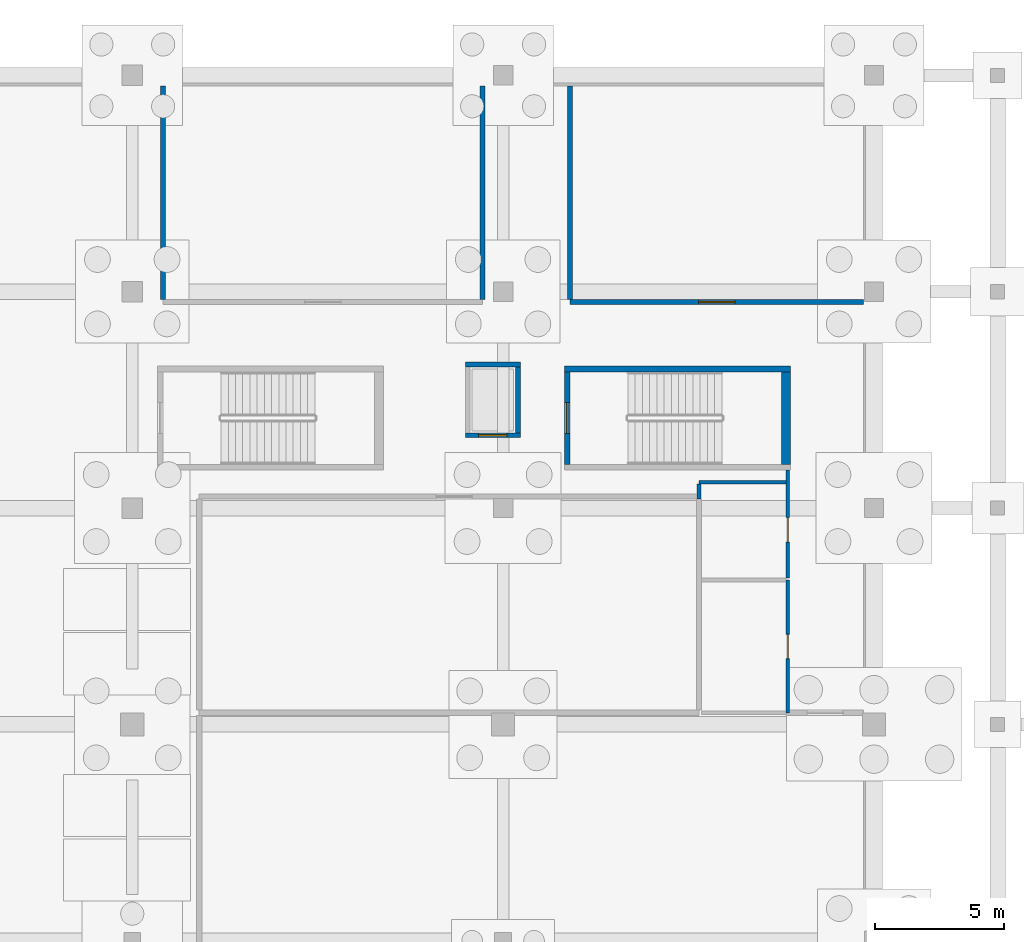
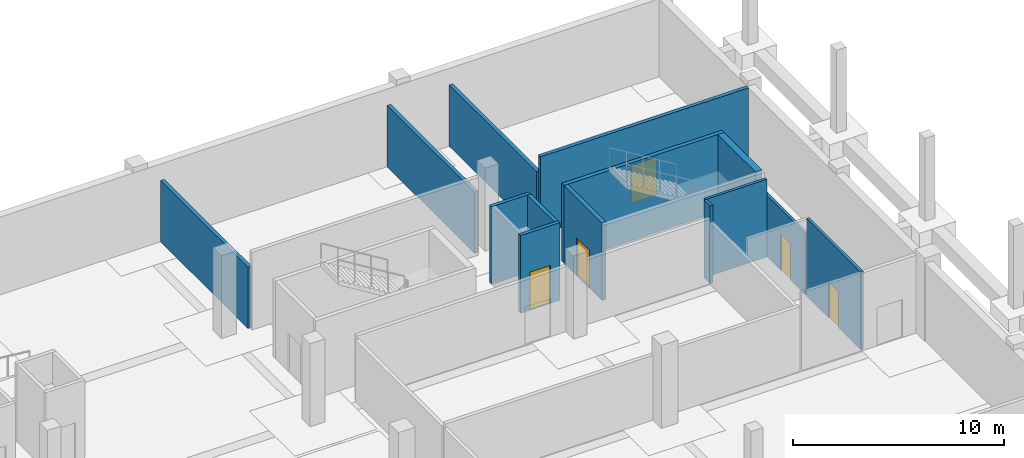
# One storey, part 18 of 26: 14 walls, 5 doors, 5 openings.
"""IFC4 building model written with IfcOpenShell, lengths in metres."""

from ifc_helpers import new_model, si_unit, direction, frame, frame_2d, origin, place, context, subcontext, project, spatial, rectangle, extrude, material, layer, layer_set, type_object, element, fill, save


model = new_model("IFC4")

# Units and contexts
model_context = context("Model", 3, precision=1e-05, world=origin(), true_north=direction((0.0, 1.0)))
body_context = subcontext(model_context, "Body", "Model", "MODEL_VIEW")
ifc_project = project(units=[si_unit("LENGTHUNIT", "METRE"), si_unit("AREAUNIT", "SQUARE_METRE"), si_unit("VOLUMEUNIT", "CUBIC_METRE"), si_unit("PLANEANGLEUNIT", "RADIAN"), si_unit("MASSUNIT", "GRAM", prefix="KILO"), si_unit("THERMODYNAMICTEMPERATUREUNIT", "KELVIN")], contexts=[model_context])

# Site, building, storey
site_placement = place(None, origin())
site = spatial("IfcSite", under=ifc_project, at=site_placement, CompositionType="ELEMENT")
building_placement = place(site_placement, origin())
building = spatial("IfcBuilding", under=site, at=building_placement, Name="Nduvali Passage Aquatics Centre", CompositionType="ELEMENT")
storey_placement = place(building_placement, frame((0.0, 0.0, -4.800048828125)))
storey = spatial("IfcBuildingStorey", under=building, at=storey_placement, Name="B01", CompositionType="ELEMENT", Elevation=-4.800048828125)

# Walls
ifc_material_1 = material(Name="Coral-stone masonry blockwork", Category="masonry")
ifc_layer_1 = layer(ifc_material_1, 0.199951171875, Name="Coral-stone masonry blockwork")
ifc_layer_set_1 = layer_set([ifc_layer_1], Name="Coral-stone masonry blockwork")
wall_type_1 = type_object("IfcWallType", Name="INT-WAL-COMP200", PredefinedType="PARTITIONING", material=ifc_layer_set_1)
for number, where, z_axis, x_axis, name in (
    (1, (98.39990234375, 108.89990234375, 0.0), (0.0, 0.0, 1.0), (0.0, 1.0, 0.0), "B01 Bunded Pool Chemical Storage and Dosing Room Partition 0002"),
    (2, (110.800048828125, 108.89990234375, 0.0), (0.0, 0.0, 1.0), (0.0, 1.0, 0.0), "B01 Bunded Pool Chemical Storage and Dosing Room Partition 0003"),
):
    element("IfcWall", number, at=place(storey_placement, frame(where, z_axis=z_axis, x_axis=x_axis)), inside=storey, type_object=wall_type_1, Name=name, PredefinedType="PARTITIONING", context=body_context, shape_type="SweptSolid", body=[
        extrude(rectangle(XDim=8.2900390625, YDim=0.199951171875, at=frame_2d((4.14501953125, 0.0))), origin(), (0.0, 0.0, 1.0), 3.550048828125),
    ])

# Wall, opening, door
wall_1_placement = place(storey_placement, frame((114.199951171875, 108.800048828125, 0.0), z_axis=(0.0, 0.0, 1.0), x_axis=(1.0, 0.0, 0.0)))
wall_1 = element("IfcWall", 3, at=wall_1_placement, inside=storey, type_object=wall_type_1, Name="B01 Primary Electrical Substation and Switchroom Partition 0004", PredefinedType="PARTITIONING", context=body_context, shape_type="SweptSolid", body=[
    extrude(rectangle(XDim=11.39013671875, YDim=0.199951171875, at=frame_2d((5.695068359375, 0.0))), origin(), (0.0, 0.0, 1.0), 4.5),
])
opening_1_placement = place(wall_1_placement, frame((4.9951171875, 0.0, 0.0)))
opening_1 = element("IfcOpeningElement", 4, at=opening_1_placement, cuts=wall_1, Name="Opening FD-P1", PredefinedType="OPENING", context=body_context, shape_type="SweptSolid", body=[
    extrude(rectangle(XDim=1.39990234375, YDim=2.199951171875, at=frame_2d((0.699951171875, 1.10009765625))), frame((0.0, 0.11474609375, 0.0), z_axis=(0.0, -1.0, 0.0), x_axis=(1.0, 0.0, 0.0)), (0.0, 0.0, 1.0), 0.229736328125),
])
ifc_material_2 = material(Name="Galvanised steel door", Category="steel")
door_type_1 = type_object("IfcDoorType", Name="INT-DR-PLNT140", OperationType="DOUBLE_DOOR_SINGLE_SWING", PredefinedType="DOOR", material=ifc_material_2)
door_1_placement = place(opening_1_placement, origin())
door_1 = element("IfcDoor", 5, at=door_1_placement, inside=storey, type_object=door_type_1, Name="B01 Primary Electrical Substation and Switchroom Door 0002", OperationType="DOUBLE_DOOR_SINGLE_SWING", OverallHeight=2.199951171875, OverallWidth=1.39990234375, PredefinedType="DOOR", context=body_context, shape_type="SweptSolid", body=[
    extrude(rectangle(XDim=1.39990234375, YDim=2.199951171875, at=frame_2d((0.699951171875, 1.10009765625))), frame((0.0, 0.02490234375, 0.0), z_axis=(0.0, -1.0, 0.0), x_axis=(1.0, 0.0, 0.0)), (0.0, 0.0, 1.0), 0.050048828125),
])
fill(opening_1, door_1)

# Walls
wall_2_placement = place(storey_placement, frame((114.199951171875, 108.89990234375, 0.0), z_axis=(0.0, 0.0, 1.0), x_axis=(0.0, 1.0, 0.0)))
element("IfcWall", 6, at=wall_2_placement, inside=storey, type_object=wall_type_1, Name="B01 Primary Electrical Substation and Switchroom Partition 0005", PredefinedType="PARTITIONING", context=body_context, shape_type="SweptSolid", body=[
    extrude(rectangle(XDim=8.2900390625, YDim=0.199951171875, at=frame_2d((4.14501953125, 0.0))), origin(), (0.0, 0.0, 1.0), 3.550048828125),
])
ifc_material_3 = material(Name="Concrete C40/50", Category="concrete")
ifc_layer_2 = layer(ifc_material_3, 0.219970703125, Name="Concrete C40/50")
ifc_layer_set_2 = layer_set([ifc_layer_2], Name="Concrete C40/50")
wall_type_2 = type_object("IfcWallType", Name="INT-WAL-CORE220", PredefinedType="SOLIDWALL", material=ifc_layer_set_2)
wall_3_placement = place(storey_placement, frame((122.75, 106.199951171875, 0.0), z_axis=(0.0, 0.0, 1.0), x_axis=(-1.0, 0.0, 0.0)))
element("IfcWall", 7, at=wall_3_placement, inside=storey, type_object=wall_type_2, Name="B01 Stair ST2 Core Wall N", PredefinedType="SOLIDWALL", context=body_context, shape_type="SweptSolid", body=[
    extrude(rectangle(XDim=8.77001953125, YDim=0.219970703125, at=frame_2d((4.385009765625, 0.0))), origin(), (0.0, 0.0, 1.0), 4.5),
])

# Wall, opening, door
wall_4_placement = place(storey_placement, frame((114.090087890625, 106.090087890625, 0.0), z_axis=(0.0, 0.0, 1.0), x_axis=(0.0, -1.0, 0.0)))
wall_4 = element("IfcWall", 8, at=wall_4_placement, inside=storey, type_object=wall_type_2, Name="B01 Stair ST2 Core Wall W", PredefinedType="SOLIDWALL", context=body_context, shape_type="SweptSolid", body=[
    extrude(rectangle(XDim=3.590087890625, YDim=0.219970703125, at=frame_2d((1.794921875, 0.0))), origin(), (0.0, 0.0, 1.0), 4.5),
])
opening_2_placement = place(wall_4_placement, frame((1.195068359375, 0.0, 0.0)))
opening_2 = element("IfcOpeningElement", 9, at=opening_2_placement, cuts=wall_4, Name="Opening FD-ST2", PredefinedType="OPENING", context=body_context, shape_type="SweptSolid", body=[
    extrude(rectangle(XDim=1.199951171875, YDim=2.199951171875, at=frame_2d((0.60009765625, 1.10009765625))), frame((0.0, 0.125, 0.0), z_axis=(0.0, -1.0, 0.0), x_axis=(1.0, 0.0, 0.0)), (0.0, 0.0, 1.0), 0.249755859375),
])
door_type_2 = type_object("IfcDoorType", Name="INT-DR-ST120", OperationType="NOTDEFINED", PredefinedType="DOOR", material=ifc_material_2)
door_2_placement = place(opening_2_placement, frame((1.199951171875, 0.0, 0.0), z_axis=(0.0, 0.0, 1.0), x_axis=(-1.0, 0.0, 0.0)))
door_2 = element("IfcDoor", 10, at=door_2_placement, inside=storey, type_object=door_type_2, Name="B01 Stair ST2 Fire Lobby Door", OperationType="SINGLE_SWING_RIGHT", OverallHeight=2.199951171875, OverallWidth=1.199951171875, PredefinedType="DOOR", context=body_context, shape_type="SweptSolid", body=[
    extrude(rectangle(XDim=1.199951171875, YDim=2.199951171875, at=frame_2d((0.60009765625, 1.10009765625))), frame((0.0, 0.02490234375, 0.0), z_axis=(0.0, -1.0, 0.0), x_axis=(1.0, 0.0, 0.0)), (0.0, 0.0, 1.0), 0.050048828125),
])
fill(opening_2, door_2)

ifc_layer_3 = layer(ifc_material_3, 0.18994140625, Name="Concrete C40/50")
ifc_layer_set_3 = layer_set([ifc_layer_3], Name="Concrete C40/50")
wall_type_3 = type_object("IfcWallType", Name="INT-WAL-SHAFT200", PredefinedType="SOLIDWALL", material=ifc_layer_set_3)
wall_5_placement = place(storey_placement, frame((110.1298828125, 103.625, 0.0), z_axis=(0.0, 0.0, 1.0), x_axis=(1.0, 0.0, 0.0)))
wall_5 = element("IfcWall", 11, at=wall_5_placement, inside=storey, type_object=wall_type_3, Name="B01 Lift L3 Shaft Wall S", PredefinedType="SOLIDWALL", context=body_context, shape_type="SweptSolid", body=[
    extrude(rectangle(XDim=2.14013671875, YDim=0.18994140625, at=frame_2d((1.070068359375, 0.0))), origin(), (0.0, 0.0, 1.0), 4.5),
])
opening_3_placement = place(wall_5_placement, frame((0.52001953125, 0.0, 0.0)))
opening_3 = element("IfcOpeningElement", 12, at=opening_3_placement, cuts=wall_5, Name="Opening LD3", PredefinedType="OPENING", context=body_context, shape_type="SweptSolid", body=[
    extrude(rectangle(XDim=1.10009765625, YDim=2.199951171875, at=frame_2d((0.550048828125, 1.10009765625))), frame((0.0, 0.10986328125, 0.0), z_axis=(0.0, -1.0, 0.0), x_axis=(1.0, 0.0, 0.0)), (0.0, 0.0, 1.0), 0.2197265625),
])
ifc_material_4 = material(Name="Stainless steel landing door", Category="steel")
door_type_3 = type_object("IfcDoorType", Name="INT-DR-LD3", OperationType="DOUBLE_DOOR_SLIDING", PredefinedType="DOOR", material=ifc_material_4)
door_3_placement = place(opening_3_placement, origin())
door_3 = element("IfcDoor", 13, at=door_3_placement, inside=storey, type_object=door_type_3, Name="B01 Lift L3 Sliding Landing Door LD3", OperationType="DOUBLE_DOOR_SLIDING", OverallHeight=2.199951171875, OverallWidth=1.10009765625, PredefinedType="DOOR", context=body_context, shape_type="SweptSolid", body=[
    extrude(rectangle(XDim=1.10009765625, YDim=2.199951171875, at=frame_2d((0.550048828125, 1.10009765625))), frame((0.0, 0.02490234375, 0.0), z_axis=(0.0, -1.0, 0.0), x_axis=(1.0, 0.0, 0.0)), (0.0, 0.0, 1.0), 0.050048828125),
])
fill(opening_3, door_3)

# Walls
wall_6_placement = place(storey_placement, frame((112.175048828125, 103.719970703125, 0.0), z_axis=(0.0, 0.0, 1.0), x_axis=(0.0, 1.0, 0.0)))
element("IfcWall", 14, at=wall_6_placement, inside=storey, type_object=wall_type_3, Name="B01 Lift L3 Shaft Wall E", PredefinedType="SOLIDWALL", context=body_context, shape_type="SweptSolid", body=[
    extrude(rectangle(XDim=2.56005859375, YDim=0.18994140625, at=frame_2d((1.280029296875, 0.0))), origin(), (0.0, 0.0, 1.0), 4.5),
])
wall_7_placement = place(storey_placement, frame((112.27001953125, 106.375, 0.0), z_axis=(0.0, 0.0, 1.0), x_axis=(-1.0, 0.0, 0.0)))
element("IfcWall", 15, at=wall_7_placement, inside=storey, type_object=wall_type_3, Name="B01 Lift L3 Shaft Wall N", PredefinedType="SOLIDWALL", context=body_context, shape_type="SweptSolid", body=[
    extrude(rectangle(XDim=2.14013671875, YDim=0.18994140625, at=frame_2d((1.070068359375, 0.0))), origin(), (0.0, 0.0, 1.0), 4.5),
])

# Wall, opening, door
ifc_layer_4 = layer(ifc_material_1, 0.14990234375, Name="Coral-stone masonry blockwork")
ifc_layer_set_4 = layer_set([ifc_layer_4], Name="Coral-stone masonry blockwork")
wall_type_4 = type_object("IfcWallType", Name="INT-WAL-WET150", PredefinedType="PLUMBINGWALL", material=ifc_layer_set_4)
wall_8_placement = place(storey_placement, frame((122.64990234375, 92.85009765625, 0.0), z_axis=(0.0, 0.0, 1.0), x_axis=(0.0, 1.0, 0.0)))
wall_8 = element("IfcWall", 16, at=wall_8_placement, inside=storey, type_object=wall_type_4, Name="B01 Basement Staff Toilets Partition 0013", PredefinedType="PLUMBINGWALL", context=body_context, shape_type="SweptSolid", body=[
    extrude(rectangle(XDim=5.14990234375, YDim=0.14990234375, at=frame_2d((2.574951171875, 0.0))), origin(), (0.0, 0.0, 1.0), 4.5),
])
opening_4_placement = place(wall_8_placement, frame((2.10009765625, 0.0, 0.0)))
opening_4 = element("IfcOpeningElement", 17, at=opening_4_placement, cuts=wall_8, Name="Opening ID3", PredefinedType="OPENING", context=body_context, shape_type="SweptSolid", body=[
    extrude(rectangle(XDim=0.949951171875, YDim=2.10009765625, at=frame_2d((0.47509765625, 1.050048828125))), frame((0.0, 0.08984375, 0.0), z_axis=(0.0, -1.0, 0.0), x_axis=(1.0, 0.0, 0.0)), (0.0, 0.0, 1.0), 0.1796875),
])
ifc_material_5 = material(Name="Timber solid-core door", Category="wood")
door_type_4 = type_object("IfcDoorType", Name="INT-DR-WC95", OperationType="NOTDEFINED", PredefinedType="DOOR", material=ifc_material_5)
door_4_placement = place(opening_4_placement, frame((0.949951171875, 0.0, 0.0), z_axis=(0.0, 0.0, 1.0), x_axis=(-1.0, 0.0, 0.0)))
door_4 = element("IfcDoor", 18, at=door_4_placement, inside=storey, type_object=door_type_4, Name="B01 Basement Staff Toilets Door 0005", OperationType="SINGLE_SWING_RIGHT", OverallHeight=2.10009765625, OverallWidth=0.949951171875, PredefinedType="DOOR", context=body_context, shape_type="SweptSolid", body=[
    extrude(rectangle(XDim=0.949951171875, YDim=2.10009765625, at=frame_2d((0.47509765625, 1.050048828125))), frame((0.0, 0.02490234375, 0.0), z_axis=(0.0, -1.0, 0.0), x_axis=(1.0, 0.0, 0.0)), (0.0, 0.0, 1.0), 0.050048828125),
])
fill(opening_4, door_4)

wall_9_placement = place(storey_placement, frame((122.64990234375, 98.074951171875, 0.0), z_axis=(0.0, 0.0, 1.0), x_axis=(0.0, 1.0, 0.0)))
wall_9 = element("IfcWall", 19, at=wall_9_placement, inside=storey, type_object=wall_type_4, Name="B01 Basement Accessible WC Partition 0016", PredefinedType="PLUMBINGWALL", context=body_context, shape_type="SweptSolid", body=[
    extrude(rectangle(XDim=4.205078125, YDim=0.14990234375, at=frame_2d((2.1025390625, 0.0))), origin(), (0.0, 0.0, 1.0), 3.550048828125),
])
opening_5_placement = place(wall_9_placement, frame((1.406982421875, 0.0, 0.0)))
opening_5 = element("IfcOpeningElement", 20, at=opening_5_placement, cuts=wall_9, Name="Opening ID3", PredefinedType="OPENING", context=body_context, shape_type="SweptSolid", body=[
    extrude(rectangle(XDim=0.949951171875, YDim=2.10009765625, at=frame_2d((0.47509765625, 1.050048828125))), frame((0.0, 0.08984375, 0.0), z_axis=(0.0, -1.0, 0.0), x_axis=(1.0, 0.0, 0.0)), (0.0, 0.0, 1.0), 0.1796875),
])
door_5_placement = place(opening_5_placement, origin())
door_5 = element("IfcDoor", 21, at=door_5_placement, inside=storey, type_object=door_type_4, Name="B01 Basement Accessible WC Door 0006", OperationType="SINGLE_SWING_LEFT", OverallHeight=2.10009765625, OverallWidth=0.949951171875, PredefinedType="DOOR", context=body_context, shape_type="SweptSolid", body=[
    extrude(rectangle(XDim=0.949951171875, YDim=2.10009765625, at=frame_2d((0.47509765625, 1.050048828125))), frame((0.0, 0.02490234375, 0.0), z_axis=(0.0, -1.0, 0.0), x_axis=(1.0, 0.0, 0.0)), (0.0, 0.0, 1.0), 0.050048828125),
])
fill(opening_5, door_5)

# Walls
wall_10_placement = place(storey_placement, frame((119.199951171875, 101.800048828125, 0.0), z_axis=(0.0, 0.0, 1.0), x_axis=(1.0, 0.0, 0.0)))
element("IfcWall", 22, at=wall_10_placement, inside=storey, type_object=wall_type_4, Name="B01 Basement Accessible WC Partition 0017", PredefinedType="PLUMBINGWALL", context=body_context, shape_type="SweptSolid", body=[
    extrude(rectangle(XDim=3.375, YDim=0.14990234375, at=frame_2d((1.6875, 0.0))), origin(), (0.0, 0.0, 1.0), 4.5),
])
wall_11_placement = place(storey_placement, frame((119.199951171875, 101.14990234375, 0.0), z_axis=(0.0, 0.0, 1.0), x_axis=(0.0, 1.0, 0.0)))
element("IfcWall", 23, at=wall_11_placement, inside=storey, type_object=wall_type_4, Name="B01 Basement Accessible WC Partition 0018", PredefinedType="PLUMBINGWALL", context=body_context, shape_type="SweptSolid", body=[
    extrude(rectangle(XDim=0.5751953125, YDim=0.14990234375, at=frame_2d((0.28759765625, 0.0))), origin(), (0.0, 0.0, 1.0), 4.5),
])
ifc_layer_5 = layer(ifc_material_3, 0.35009765625, Name="Concrete C40/50")
ifc_layer_set_5 = layer_set([ifc_layer_5], Name="Concrete C40/50")
wall_type_5 = type_object("IfcWallType", Name="STR-WAL-SHR350", PredefinedType="SHEAR", material=ifc_layer_set_5)
wall_12_placement = place(storey_placement, frame((122.574951171875, 102.5, 0.0), z_axis=(0.0, 0.0, 1.0), x_axis=(0.0, 1.0, 0.0)))
element("IfcWall", 24, at=wall_12_placement, inside=storey, type_object=wall_type_5, Name="B01 Stair ST2 Core Shear Wall E", PredefinedType="SHEAR", context=body_context, shape_type="SweptSolid", body=[
    extrude(rectangle(XDim=3.590087890625, YDim=0.35009765625, at=frame_2d((1.794921875, 0.0))), origin(), (0.0, 0.0, 1.0), 4.5),
])

save(model, "model.ifc")
